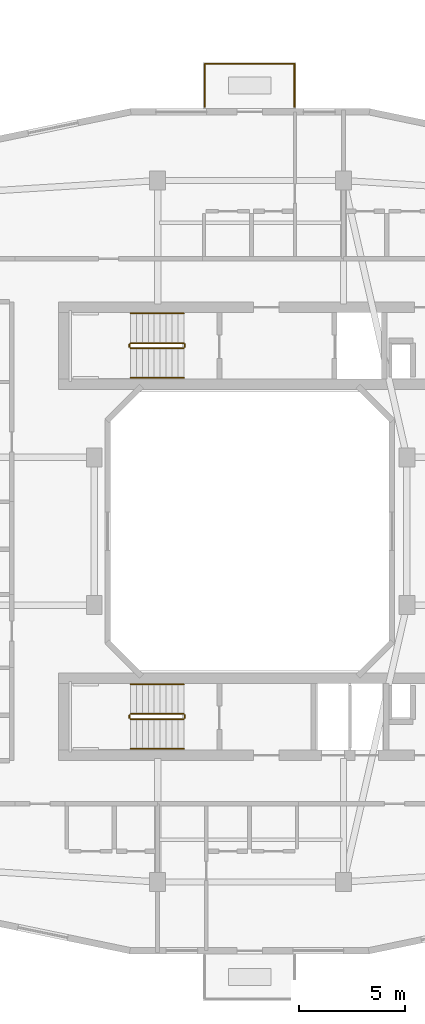
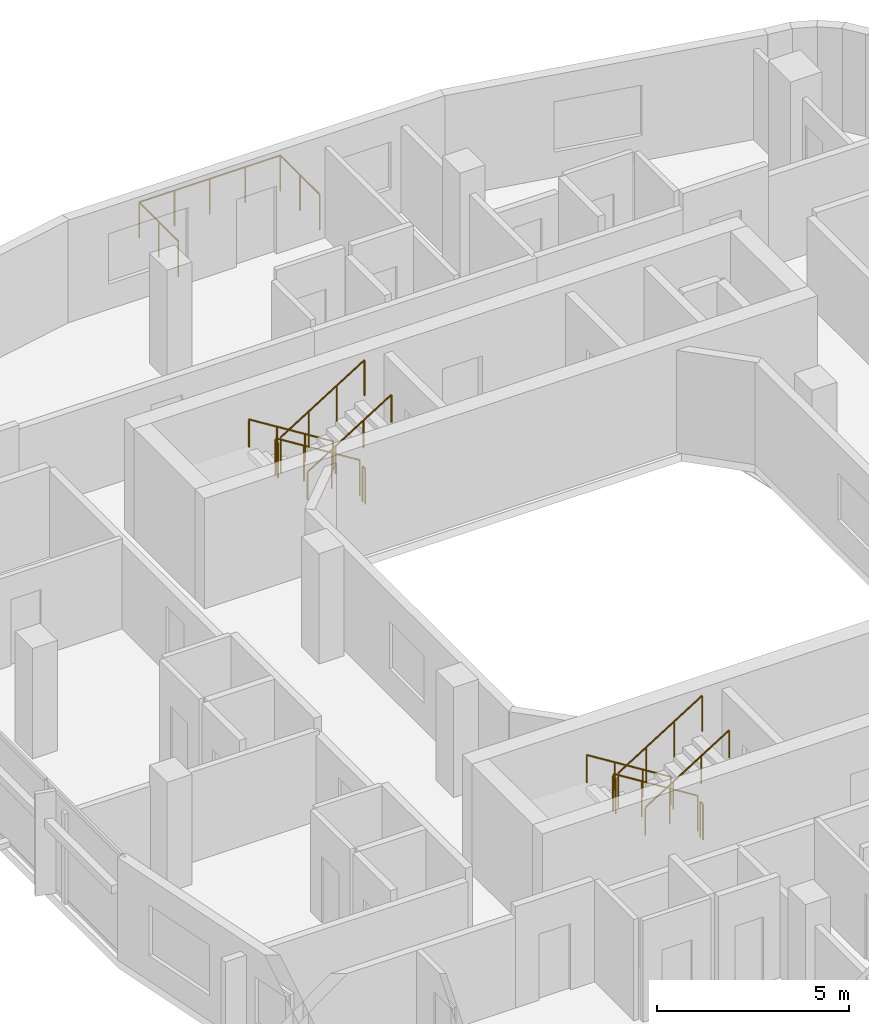
# One storey, part 22 of 22: 15 railings.
"""IFC4 building model written with IfcOpenShell, lengths in metres."""

from ifc_helpers import new_model, si_unit, derived_unit, direction, frame, origin, origin_2d, place, context, subcontext, project, spatial, circle, extrude, material, type_object, element, save


model = new_model("IFC4")

# Units and contexts
model_context = context("Model", 3, precision=1e-05, world=origin(), true_north=direction((0.0, 1.0)))
body_context = subcontext(model_context, "Body", "Model", "MODEL_VIEW")
ifc_project = project(units=[si_unit("LENGTHUNIT", "METRE"), si_unit("AREAUNIT", "SQUARE_METRE"), si_unit("VOLUMEUNIT", "CUBIC_METRE"), si_unit("PLANEANGLEUNIT", "RADIAN"), si_unit("MASSUNIT", "GRAM", prefix="KILO"), derived_unit("THERMALTRANSMITTANCEUNIT", [(si_unit("POWERUNIT", "WATT"), 1), (si_unit("LENGTHUNIT", "METRE"), -2), (si_unit("THERMODYNAMICTEMPERATUREUNIT", "KELVIN"), -1)])], contexts=[model_context])

# Site, building, storey
site_placement = place(None, origin())
site = spatial("IfcSite", under=ifc_project, at=site_placement, CompositionType="ELEMENT")
building_placement = place(site_placement, origin())
building = spatial("IfcBuilding", under=site, at=building_placement, Name="Kivonza Crest Hotel", CompositionType="ELEMENT")
storey_placement = place(building_placement, frame((0.0, 0.0, 69.5)))
storey = spatial("IfcBuildingStorey", under=building, at=storey_placement, Name="L18", CompositionType="ELEMENT", Elevation=69.5)

# Railings
ifc_material_1 = material(Name="Brushed stainless steel handrail", Category="steel")
railing_type_1 = type_object("IfcRailingType", Name="RL-HAND-900", PredefinedType="HANDRAIL", material=ifc_material_1)
railing_1_placement = place(storey_placement, frame((73.840087890625, 35.31005859375, 0.175048828125)))
element("IfcRailing", 1, at=railing_1_placement, inside=storey, type_object=railing_type_1, Name="L18 ST-T2-N stair handrail 1", PredefinedType="HANDRAIL", context=body_context, shape_type="SweptSolid", body=[
    extrude(circle(Radius=0.02392578125, at=origin_2d()), frame((0.0, 0.0, 0.8759765625), z_axis=(-0.848007534815, 0.0, 0.529984170421), x_axis=(0.0, -1.0, 0.0)), (0.0, 0.0, 1.0), 2.9716796875),
    extrude(circle(Radius=0.02099609375, at=origin_2d()), origin(), (0.0, 0.0, 1.0), 0.851806640625),
    extrude(circle(Radius=0.02099609375, at=origin_2d()), frame((-0.840087890625, 0.0, 0.52490234375)), (0.0, 0.0, 1.0), 0.851806640625),
    extrude(circle(Radius=0.02099609375, at=origin_2d()), frame((-1.679931640625, 0.0, 1.050048828125)), (0.0, 0.0, 1.0), 0.851806640625),
    extrude(circle(Radius=0.02099609375, at=origin_2d()), frame((-2.52001953125, 0.0, 1.574951171875)), (0.0, 0.0, 1.0), 0.851806640625),
])
railing_2_placement = place(storey_placement, frame((71.320068359375, 32.27001953125, 1.925048828125)))
element("IfcRailing", 2, at=railing_2_placement, inside=storey, type_object=railing_type_1, Name="L18 ST-T2-N stair handrail 2", PredefinedType="HANDRAIL", context=body_context, shape_type="SweptSolid", body=[
    extrude(circle(Radius=0.02392578125, at=origin_2d()), frame((0.0, 0.0, 0.8759765625), z_axis=(0.848007534815, 0.0, 0.529984170421), x_axis=(0.0, 1.0, 0.0)), (0.0, 0.0, 1.0), 2.9716796875),
    extrude(circle(Radius=0.02099609375, at=origin_2d()), origin(), (0.0, 0.0, 1.0), 0.851806640625),
    extrude(circle(Radius=0.02099609375, at=origin_2d()), frame((0.840087890625, 0.0, 0.52490234375)), (0.0, 0.0, 1.0), 0.851806640625),
    extrude(circle(Radius=0.02099609375, at=origin_2d()), frame((1.679931640625, 0.0, 1.050048828125)), (0.0, 0.0, 1.0), 0.851806640625),
    extrude(circle(Radius=0.02099609375, at=origin_2d()), frame((2.52001953125, 0.0, 1.574951171875)), (0.0, 0.0, 1.0), 0.851806640625),
])
railing_3_placement = place(storey_placement, frame((73.840087890625, 17.75, 0.175048828125)))
element("IfcRailing", 3, at=railing_3_placement, inside=storey, type_object=railing_type_1, Name="L18 ST-T2-S stair handrail 1", PredefinedType="HANDRAIL", context=body_context, shape_type="SweptSolid", body=[
    extrude(circle(Radius=0.02392578125, at=origin_2d()), frame((0.0, 0.0, 0.8759765625), z_axis=(-0.848007534815, 0.0, 0.529984170421), x_axis=(0.0, -1.0, 0.0)), (0.0, 0.0, 1.0), 2.9716796875),
    extrude(circle(Radius=0.02099609375, at=origin_2d()), origin(), (0.0, 0.0, 1.0), 0.851806640625),
    extrude(circle(Radius=0.02099609375, at=origin_2d()), frame((-0.840087890625, 0.0, 0.52490234375)), (0.0, 0.0, 1.0), 0.851806640625),
    extrude(circle(Radius=0.02099609375, at=origin_2d()), frame((-1.679931640625, 0.0, 1.050048828125)), (0.0, 0.0, 1.0), 0.851806640625),
    extrude(circle(Radius=0.02099609375, at=origin_2d()), frame((-2.52001953125, 0.0, 1.574951171875)), (0.0, 0.0, 1.0), 0.851806640625),
])
railing_4_placement = place(storey_placement, frame((71.320068359375, 14.7099609375, 1.925048828125)))
element("IfcRailing", 4, at=railing_4_placement, inside=storey, type_object=railing_type_1, Name="L18 ST-T2-S stair handrail 2", PredefinedType="HANDRAIL", context=body_context, shape_type="SweptSolid", body=[
    extrude(circle(Radius=0.02392578125, at=origin_2d()), frame((0.0, 0.0, 0.8759765625), z_axis=(0.848007534815, 0.0, 0.529984170421), x_axis=(0.0, 1.0, 0.0)), (0.0, 0.0, 1.0), 2.9716796875),
    extrude(circle(Radius=0.02099609375, at=origin_2d()), origin(), (0.0, 0.0, 1.0), 0.851806640625),
    extrude(circle(Radius=0.02099609375, at=origin_2d()), frame((0.840087890625, 0.0, 0.52490234375)), (0.0, 0.0, 1.0), 0.851806640625),
    extrude(circle(Radius=0.02099609375, at=origin_2d()), frame((1.679931640625, 0.0, 1.050048828125)), (0.0, 0.0, 1.0), 0.851806640625),
    extrude(circle(Radius=0.02099609375, at=origin_2d()), frame((2.52001953125, 0.0, 1.574951171875)), (0.0, 0.0, 1.0), 0.851806640625),
])
ifc_material_2 = material(Name="Painted steel balustrade", Category="steel")
railing_type_2 = type_object("IfcRailingType", Name="RL-STAIR-1150", PredefinedType="BALUSTRADE", material=ifc_material_2)
railing_5_placement = place(storey_placement, frame((73.840087890625, 33.909912109375, 0.175048828125)))
element("IfcRailing", 5, at=railing_5_placement, inside=storey, type_object=railing_type_2, Name="L18 ST-T2-N stair guard 1", PredefinedType="BALUSTRADE", context=body_context, shape_type="SweptSolid", body=[
    extrude(circle(Radius=0.02392578125, at=origin_2d()), frame((0.0, 0.0, 1.1259765625), z_axis=(-0.848007534815, 0.0, 0.529984170421), x_axis=(0.0, -1.0, 0.0)), (0.0, 0.0, 1.0), 2.9716796875),
    extrude(circle(Radius=0.02099609375, at=origin_2d()), origin(), (0.0, 0.0, 1.0), 1.101806640625),
    extrude(circle(Radius=0.02099609375, at=origin_2d()), frame((-0.840087890625, 0.0, 0.52490234375)), (0.0, 0.0, 1.0), 1.101806640625),
    extrude(circle(Radius=0.02099609375, at=origin_2d()), frame((-1.679931640625, 0.0, 1.050048828125)), (0.0, 0.0, 1.0), 1.101806640625),
    extrude(circle(Radius=0.02099609375, at=origin_2d()), frame((-2.52001953125, 0.0, 1.574951171875)), (0.0, 0.0, 1.0), 1.101806640625),
])
railing_6_placement = place(storey_placement, frame((71.27001953125, 33.860107421875, 1.75)))
element("IfcRailing", 6, at=railing_6_placement, inside=storey, type_object=railing_type_2, Name="L18 ST-T2-N stair guard 2", PredefinedType="BALUSTRADE", context=body_context, shape_type="SweptSolid", body=[
    extrude(circle(Radius=0.02392578125, at=origin_2d()), frame((0.0, 0.0, 1.1259765625), z_axis=(0.0, -1.0, 0.0), x_axis=(1.0, 0.0, 0.0)), (0.0, 0.0, 1.0), 0.14013671875),
    extrude(circle(Radius=0.02099609375, at=origin_2d()), origin(), (0.0, 0.0, 1.0), 1.101806640625),
    extrude(circle(Radius=0.02099609375, at=origin_2d()), frame((0.0, -0.14013671875, 0.0)), (0.0, 0.0, 1.0), 1.101806640625),
])
railing_7_placement = place(storey_placement, frame((71.320068359375, 33.669921875, 1.925048828125)))
element("IfcRailing", 7, at=railing_7_placement, inside=storey, type_object=railing_type_2, Name="L18 ST-T2-N stair guard 3", PredefinedType="BALUSTRADE", context=body_context, shape_type="SweptSolid", body=[
    extrude(circle(Radius=0.02392578125, at=origin_2d()), frame((0.0, 0.0, 1.1259765625), z_axis=(0.848007534815, 0.0, 0.529984170421), x_axis=(0.0, 1.0, 0.0)), (0.0, 0.0, 1.0), 2.9716796875),
    extrude(circle(Radius=0.02099609375, at=origin_2d()), origin(), (0.0, 0.0, 1.0), 1.101806640625),
    extrude(circle(Radius=0.02099609375, at=origin_2d()), frame((0.840087890625, 0.0, 0.52490234375)), (0.0, 0.0, 1.0), 1.101806640625),
    extrude(circle(Radius=0.02099609375, at=origin_2d()), frame((1.679931640625, 0.0, 1.050048828125)), (0.0, 0.0, 1.0), 1.101806640625),
    extrude(circle(Radius=0.02099609375, at=origin_2d()), frame((2.52001953125, 0.0, 1.574951171875)), (0.0, 0.0, 1.0), 1.101806640625),
])
railing_8_placement = place(storey_placement, frame((73.889892578125, 33.860107421875, 0.0)))
element("IfcRailing", 8, at=railing_8_placement, inside=storey, type_object=railing_type_2, Name="L18 ST-T2-N stair guard 4", PredefinedType="BALUSTRADE", context=body_context, shape_type="SweptSolid", body=[
    extrude(circle(Radius=0.02392578125, at=origin_2d()), frame((0.0, 0.0, 1.1259765625), z_axis=(0.0, -1.0, 0.0), x_axis=(1.0, 0.0, 0.0)), (0.0, 0.0, 1.0), 0.14013671875),
    extrude(circle(Radius=0.02099609375, at=origin_2d()), origin(), (0.0, 0.0, 1.0), 1.101806640625),
    extrude(circle(Radius=0.02099609375, at=origin_2d()), frame((0.0, -0.14013671875, 0.0)), (0.0, 0.0, 1.0), 1.101806640625),
])
railing_9_placement = place(storey_placement, frame((73.840087890625, 16.35009765625, 0.175048828125)))
element("IfcRailing", 9, at=railing_9_placement, inside=storey, type_object=railing_type_2, Name="L18 ST-T2-S stair guard 1", PredefinedType="BALUSTRADE", context=body_context, shape_type="SweptSolid", body=[
    extrude(circle(Radius=0.02392578125, at=origin_2d()), frame((0.0, 0.0, 1.1259765625), z_axis=(-0.848007534815, 0.0, 0.529984170421), x_axis=(0.0, -1.0, 0.0)), (0.0, 0.0, 1.0), 2.9716796875),
    extrude(circle(Radius=0.02099609375, at=origin_2d()), origin(), (0.0, 0.0, 1.0), 1.101806640625),
    extrude(circle(Radius=0.02099609375, at=origin_2d()), frame((-0.840087890625, 0.0, 0.52490234375)), (0.0, 0.0, 1.0), 1.101806640625),
    extrude(circle(Radius=0.02099609375, at=origin_2d()), frame((-1.679931640625, 0.0, 1.050048828125)), (0.0, 0.0, 1.0), 1.101806640625),
    extrude(circle(Radius=0.02099609375, at=origin_2d()), frame((-2.52001953125, 0.0, 1.574951171875)), (0.0, 0.0, 1.0), 1.101806640625),
])
railing_10_placement = place(storey_placement, frame((71.27001953125, 16.300048828125, 1.75)))
element("IfcRailing", 10, at=railing_10_placement, inside=storey, type_object=railing_type_2, Name="L18 ST-T2-S stair guard 2", PredefinedType="BALUSTRADE", context=body_context, shape_type="SweptSolid", body=[
    extrude(circle(Radius=0.02392578125, at=origin_2d()), frame((0.0, 0.0, 1.1259765625), z_axis=(0.0, -1.0, 0.0), x_axis=(1.0, 0.0, 0.0)), (0.0, 0.0, 1.0), 0.14013671875),
    extrude(circle(Radius=0.02099609375, at=origin_2d()), origin(), (0.0, 0.0, 1.0), 1.101806640625),
    extrude(circle(Radius=0.02099609375, at=origin_2d()), frame((0.0, -0.14013671875, 0.0)), (0.0, 0.0, 1.0), 1.101806640625),
])
railing_11_placement = place(storey_placement, frame((71.320068359375, 16.110107421875, 1.925048828125)))
element("IfcRailing", 11, at=railing_11_placement, inside=storey, type_object=railing_type_2, Name="L18 ST-T2-S stair guard 3", PredefinedType="BALUSTRADE", context=body_context, shape_type="SweptSolid", body=[
    extrude(circle(Radius=0.02392578125, at=origin_2d()), frame((0.0, 0.0, 1.1259765625), z_axis=(0.848007534815, 0.0, 0.529984170421), x_axis=(0.0, 1.0, 0.0)), (0.0, 0.0, 1.0), 2.9716796875),
    extrude(circle(Radius=0.02099609375, at=origin_2d()), origin(), (0.0, 0.0, 1.0), 1.101806640625),
    extrude(circle(Radius=0.02099609375, at=origin_2d()), frame((0.840087890625, 0.0, 0.52490234375)), (0.0, 0.0, 1.0), 1.101806640625),
    extrude(circle(Radius=0.02099609375, at=origin_2d()), frame((1.679931640625, 0.0, 1.050048828125)), (0.0, 0.0, 1.0), 1.101806640625),
    extrude(circle(Radius=0.02099609375, at=origin_2d()), frame((2.52001953125, 0.0, 1.574951171875)), (0.0, 0.0, 1.0), 1.101806640625),
])
railing_12_placement = place(storey_placement, frame((73.889892578125, 16.300048828125, 0.0)))
element("IfcRailing", 12, at=railing_12_placement, inside=storey, type_object=railing_type_2, Name="L18 ST-T2-S stair guard 4", PredefinedType="BALUSTRADE", context=body_context, shape_type="SweptSolid", body=[
    extrude(circle(Radius=0.02392578125, at=origin_2d()), frame((0.0, 0.0, 1.1259765625), z_axis=(0.0, -1.0, 0.0), x_axis=(1.0, 0.0, 0.0)), (0.0, 0.0, 1.0), 0.14013671875),
    extrude(circle(Radius=0.02099609375, at=origin_2d()), origin(), (0.0, 0.0, 1.0), 1.101806640625),
    extrude(circle(Radius=0.02099609375, at=origin_2d()), frame((0.0, -0.14013671875, 0.0)), (0.0, 0.0, 1.0), 1.101806640625),
])
ifc_material_3 = material(Name="Laminated glass and stainless steel balustrade", Category="steel")
railing_type_3 = type_object("IfcRailingType", Name="RL-TERR-1150", PredefinedType="BALUSTRADE", material=ifc_material_3)
railing_13_placement = place(storey_placement, frame((74.840087890625, 45.080078125, 0.0)))
element("IfcRailing", 13, at=railing_13_placement, inside=storey, type_object=railing_type_3, Name="L18 T2-L18-SG-NE perimeter safety balustrade 1", PredefinedType="BALUSTRADE", context=body_context, shape_type="SweptSolid", body=[
    extrude(circle(Radius=0.02392578125, at=origin_2d()), frame((0.0, 0.0, 1.1259765625), z_axis=(0.0, 1.0, 0.0), x_axis=(-1.0, 0.0, 0.0)), (0.0, 0.0, 1.0), 2.0400390625),
    extrude(circle(Radius=0.02099609375, at=origin_2d()), origin(), (0.0, 0.0, 1.0), 1.101806640625),
    extrude(circle(Radius=0.02099609375, at=origin_2d()), frame((0.0, 1.02001953125, 0.0)), (0.0, 0.0, 1.0), 1.101806640625),
    extrude(circle(Radius=0.02099609375, at=origin_2d()), frame((0.0, 2.0400390625, 0.0)), (0.0, 0.0, 1.0), 1.101806640625),
])
railing_14_placement = place(storey_placement, frame((74.840087890625, 47.1201171875, 0.0)))
element("IfcRailing", 14, at=railing_14_placement, inside=storey, type_object=railing_type_3, Name="L18 T2-L18-SG-NE perimeter safety balustrade 2", PredefinedType="BALUSTRADE", context=body_context, shape_type="SweptSolid", body=[
    extrude(circle(Radius=0.02392578125, at=origin_2d()), frame((0.0, 0.0, 1.1259765625), z_axis=(1.0, 0.0, 0.0), x_axis=(0.0, 1.0, 0.0)), (0.0, 0.0, 1.0), 4.239990234375),
    extrude(circle(Radius=0.02099609375, at=origin_2d()), origin(), (0.0, 0.0, 1.0), 1.101806640625),
    extrude(circle(Radius=0.02099609375, at=origin_2d()), frame((1.06005859375, 0.0, 0.0)), (0.0, 0.0, 1.0), 1.101806640625),
    extrude(circle(Radius=0.02099609375, at=origin_2d()), frame((2.1201171875, 0.0, 0.0)), (0.0, 0.0, 1.0), 1.101806640625),
    extrude(circle(Radius=0.02099609375, at=origin_2d()), frame((3.179931640625, 0.0, 0.0)), (0.0, 0.0, 1.0), 1.101806640625),
    extrude(circle(Radius=0.02099609375, at=origin_2d()), frame((4.239990234375, 0.0, 0.0)), (0.0, 0.0, 1.0), 1.101806640625),
])
railing_15_placement = place(storey_placement, frame((79.080078125, 47.1201171875, 0.0)))
element("IfcRailing", 15, at=railing_15_placement, inside=storey, type_object=railing_type_3, Name="L18 T2-L18-SG-NE perimeter safety balustrade 3", PredefinedType="BALUSTRADE", context=body_context, shape_type="SweptSolid", body=[
    extrude(circle(Radius=0.02392578125, at=origin_2d()), frame((0.0, 0.0, 1.1259765625), z_axis=(0.0, -1.0, 0.0), x_axis=(1.0, 0.0, 0.0)), (0.0, 0.0, 1.0), 2.0400390625),
    extrude(circle(Radius=0.02099609375, at=origin_2d()), origin(), (0.0, 0.0, 1.0), 1.101806640625),
    extrude(circle(Radius=0.02099609375, at=origin_2d()), frame((0.0, -1.02001953125, 0.0)), (0.0, 0.0, 1.0), 1.101806640625),
    extrude(circle(Radius=0.02099609375, at=origin_2d()), frame((0.0, -2.0400390625, 0.0)), (0.0, 0.0, 1.0), 1.101806640625),
])

save(model, "model.ifc")
